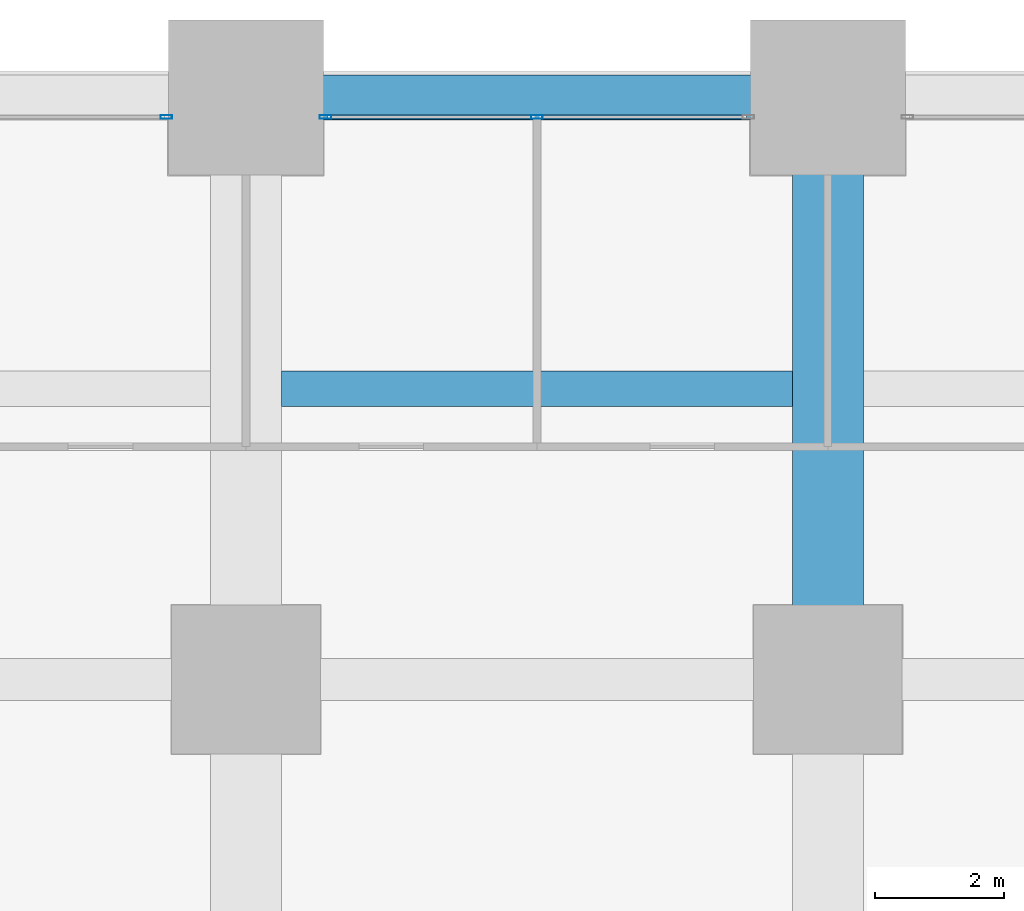
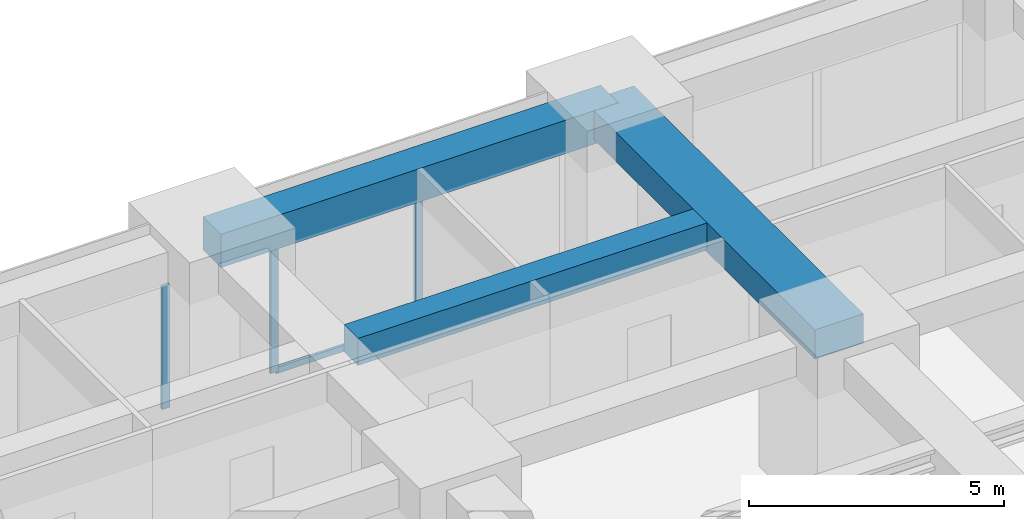
# One storey, part 29 of 45: 4 members, 3 beams, 2 elements without a shape of their own.
"""IFC4 building model written with IfcOpenShell, lengths in metres."""

from ifc_helpers import new_model, si_unit, direction, frame, origin, origin_2d, place, context, subcontext, project, spatial, rectangle, hollow_rectangle, extrude, material, material_profile, profile_set, type_object, element, aggregate, save


model = new_model("IFC4")

# Units and contexts
model_context = context("Model", 3, precision=1e-05, world=origin(), true_north=direction((0.0, 1.0)))
body_context = subcontext(model_context, "Body", "Model", "MODEL_VIEW")
ifc_project = project(units=[si_unit("LENGTHUNIT", "METRE"), si_unit("AREAUNIT", "SQUARE_METRE"), si_unit("VOLUMEUNIT", "CUBIC_METRE"), si_unit("PLANEANGLEUNIT", "RADIAN"), si_unit("MASSUNIT", "GRAM", prefix="KILO")], contexts=[model_context])

# Site, building, storey
site_placement = place(None, origin())
site = spatial("IfcSite", under=ifc_project, at=site_placement, CompositionType="ELEMENT")
building_placement = place(site_placement, origin())
building = spatial("IfcBuilding", under=site, at=building_placement, Name="Zorevar Civic Tower", CompositionType="ELEMENT")
storey_placement = place(building_placement, frame((0.0, 0.0, 47.800048828125)))
storey = spatial("IfcBuildingStorey", under=building, at=storey_placement, Name="L11", CompositionType="ELEMENT", Elevation=47.800048828125)

# Beams
ifc_material_1 = material(Name="Concrete C50/60", Category="concrete")
ifc_material_profile_1 = material_profile(ifc_material_1, rectangle(XDim=1.10009765625, YDim=0.699951171875, at=origin_2d()), Name="RC 1100x700")
ifc_profile_set_1 = profile_set([ifc_material_profile_1], Name="Concrete C50/60")
beam_type_1 = type_object("IfcBeamType", Name="Beam RC 1100x700", PredefinedType="BEAM", material=ifc_profile_set_1)
beam_1_placement = place(storey_placement, frame((27.0, 45.0, 3.39990234375), z_axis=(0.0, 1.0, 0.0), x_axis=(-1.0, 0.0, 0.0)))
element("IfcBeam", 1, at=beam_1_placement, inside=storey, type_object=beam_type_1, Name="Girder L12", PredefinedType="BEAM", context=body_context, shape_type="SweptSolid", body=[
    extrude(rectangle(XDim=1.10009765625, YDim=0.699951171875, at=origin_2d()), origin(), (0.0, 0.0, 1.0), 9.0),
])
ifc_material_2 = material(Name="Concrete C50/60", Category="concrete")
ifc_material_profile_2 = material_profile(ifc_material_2, rectangle(XDim=0.550048828125, YDim=0.64990234375, at=origin_2d()), Name="RC 550x650")
ifc_profile_set_2 = profile_set([ifc_material_profile_2], Name="Concrete C50/60")
beam_type_2 = type_object("IfcBeamType", Name="Beam RC 550x650", PredefinedType="BEAM", material=ifc_profile_set_2)
beam_2_placement = place(storey_placement, frame((18.550048828125, 49.5, 3.425048828125), z_axis=(1.0, 0.0, 0.0), x_axis=(0.0, 1.0, 0.0)))
element("IfcBeam", 2, at=beam_2_placement, inside=storey, type_object=beam_type_2, Name="Secondary beam L12", PredefinedType="BEAM", context=body_context, shape_type="SweptSolid", body=[
    extrude(rectangle(XDim=0.550048828125, YDim=0.64990234375, at=origin_2d()), origin(), (0.0, 0.0, 1.0), 7.89990234375),
])

# Curtain wall, member
ifc_material_3 = material(Name="Dark grey solar-control glass in black aluminium frame", Category="aluminium")
curtain_wall_type = type_object("IfcCurtainWallType", Name="Curtain wall CW2 low zone", PredefinedType="NOTDEFINED", material=ifc_material_3)
curtain_wall_1_placement = place(storey_placement, origin())
curtain_wall_1 = element("IfcCurtainWall", 3, at=curtain_wall_1_placement, inside=storey, type_object=curtain_wall_type, Name="CW2 L11", PredefinedType="NOTDEFINED")
ifc_material_4 = material(Name="Aluminium, black anodised", Category="aluminium")
ifc_material_profile_3 = material_profile(ifc_material_4, hollow_rectangle(XDim=0.06005859375, YDim=0.179931640625, WallThickness=0.00390625, at=origin_2d()), Name="AL 180x60x4")
ifc_profile_set_3 = profile_set([ifc_material_profile_3], Name="Aluminium, black anodised")
member_type_1 = type_object("IfcMemberType", Name="CW2 mullion AL 180x60x4", PredefinedType="MULLION", material=ifc_profile_set_3)
member_1_placement = place(storey_placement, frame((16.77001953125, 53.699951171875, 0.0), z_axis=(0.0, 0.0, 1.0), x_axis=(0.0, 1.0, 0.0)))
member_1 = element("IfcMember", 4, at=member_1_placement, type_object=member_type_1, Name="CW2 mullion 3", PredefinedType="MULLION", context=body_context, shape_type="SweptSolid", body=[
    extrude(hollow_rectangle(XDim=0.06005859375, YDim=0.179931640625, WallThickness=0.00390625, at=origin_2d()), origin(), (0.0, 0.0, 1.0), 2.949951171875),
])
aggregate(curtain_wall_1, [member_1])

# Curtain wall, members
curtain_wall_2_placement = place(storey_placement, origin())
curtain_wall_2 = element("IfcCurtainWall", 5, at=curtain_wall_2_placement, inside=storey, type_object=curtain_wall_type, Name="CW2 L11", PredefinedType="NOTDEFINED")
member_2_placement = place(storey_placement, frame((19.22998046875, 53.699951171875, 0.0), z_axis=(0.0, 0.0, 1.0), x_axis=(0.0, 1.0, 0.0)))
member_2 = element("IfcMember", 6, at=member_2_placement, type_object=member_type_1, Name="CW2 mullion 1", PredefinedType="MULLION", context=body_context, shape_type="SweptSolid", body=[
    extrude(hollow_rectangle(XDim=0.06005859375, YDim=0.179931640625, WallThickness=0.00390625, at=origin_2d()), origin(), (0.0, 0.0, 1.0), 2.949951171875),
])
member_3_placement = place(storey_placement, frame((22.5, 53.699951171875, 0.06005859375), z_axis=(0.0, 0.0, 1.0), x_axis=(0.0, 1.0, 0.0)))
member_3 = element("IfcMember", 7, at=member_3_placement, type_object=member_type_1, Name="CW2 mullion 2", PredefinedType="MULLION", context=body_context, shape_type="SweptSolid", body=[
    extrude(hollow_rectangle(XDim=0.06005859375, YDim=0.179931640625, WallThickness=0.00390625, at=origin_2d()), origin(), (0.0, 0.0, 1.0), 2.889892578125),
])
ifc_material_5 = material(Name="Aluminium, black anodised", Category="aluminium")
ifc_material_profile_4 = material_profile(ifc_material_5, hollow_rectangle(XDim=0.06005859375, YDim=0.14990234375, WallThickness=0.00390625, at=origin_2d()), Name="AL 150x60x4")
ifc_profile_set_4 = profile_set([ifc_material_profile_4], Name="Aluminium, black anodised")
member_type_2 = type_object("IfcMemberType", Name="CW2 transom AL 150x60x4", PredefinedType="USERDEFINED", material=ifc_profile_set_4)
member_4_placement = place(storey_placement, frame((19.260009765625, 53.699951171875, 0.030029296875), z_axis=(1.0, 0.0, 0.0), x_axis=(0.0, 1.0, 0.0)))
member_4 = element("IfcMember", 8, at=member_4_placement, type_object=member_type_2, Name="CW2 sill transom", ObjectType="TRANSOM", PredefinedType="USERDEFINED", context=body_context, shape_type="SweptSolid", body=[
    extrude(hollow_rectangle(XDim=0.06005859375, YDim=0.14990234375, WallThickness=0.00390625, at=origin_2d()), origin(), (0.0, 0.0, 1.0), 6.47998046875),
])
aggregate(curtain_wall_2, [member_2, member_3, member_4])

# Beam
ifc_material_6 = material(Name="Concrete C50/60", Category="concrete")
ifc_material_profile_5 = material_profile(ifc_material_6, rectangle(XDim=0.699951171875, YDim=0.800048828125, at=origin_2d()), Name="RC 700x800")
ifc_profile_set_5 = profile_set([ifc_material_profile_5], Name="Concrete C50/60")
beam_type_3 = type_object("IfcBeamType", Name="Edge beam RC 700x800", PredefinedType="SPANDREL", material=ifc_profile_set_5)
beam_3_placement = place(storey_placement, frame((18.0, 54.0, 3.349853515625), z_axis=(1.0, 0.0, 0.0), x_axis=(0.0, 1.0, 0.0)))
element("IfcBeam", 9, at=beam_3_placement, inside=storey, type_object=beam_type_3, Name="Edge beam L12", PredefinedType="SPANDREL", context=body_context, shape_type="SweptSolid", body=[
    extrude(rectangle(XDim=0.699951171875, YDim=0.800048828125, at=origin_2d()), origin(), (0.0, 0.0, 1.0), 9.0),
])

save(model, "model.ifc")
